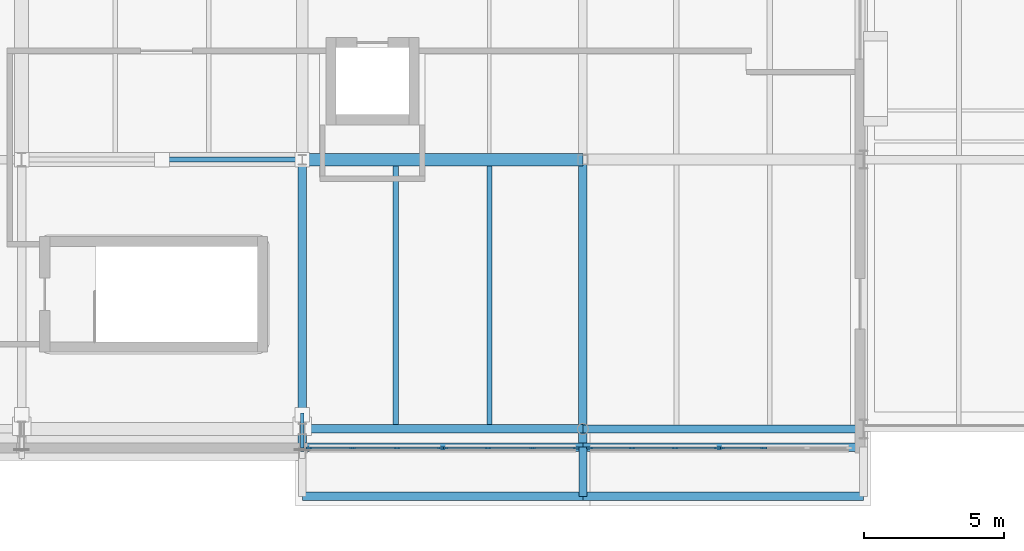
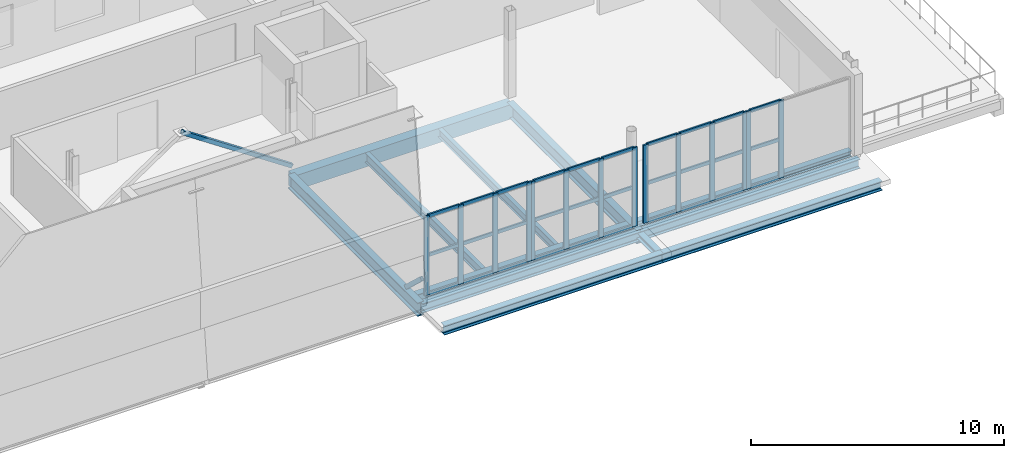
# One storey, part 26 of 57: 46 members, 12 beams, 4 elements without a shape of their own.
"""IFC4 building model written with IfcOpenShell, lengths in metres."""

from ifc_helpers import new_model, si_unit, direction, frame, origin, origin_2d, place, context, subcontext, project, spatial, rectangle, hollow_rectangle, i_section, extrude, material, layer, layer_set, material_profile, profile_set, type_object, element, aggregate, save


model = new_model("IFC4")

# Units and contexts
model_context = context("Model", 3, precision=1e-05, world=origin(), true_north=direction((0.0, 1.0)))
body_context = subcontext(model_context, "Body", "Model", "MODEL_VIEW")
ifc_project = project(units=[si_unit("LENGTHUNIT", "METRE"), si_unit("AREAUNIT", "SQUARE_METRE"), si_unit("VOLUMEUNIT", "CUBIC_METRE"), si_unit("PLANEANGLEUNIT", "RADIAN"), si_unit("MASSUNIT", "GRAM", prefix="KILO")], contexts=[model_context])

# Site, building, storey
site_placement = place(None, origin())
site = spatial("IfcSite", under=ifc_project, at=site_placement, CompositionType="ELEMENT")
building_placement = place(site_placement, origin())
building = spatial("IfcBuilding", under=site, at=building_placement, Name="Zereglee Splitstone Museum", CompositionType="ELEMENT")
storey_placement = place(building_placement, frame((0.0, 0.0, 17.10009765625)))
storey = spatial("IfcBuildingStorey", under=building, at=storey_placement, Name="L03", CompositionType="ELEMENT", Elevation=17.10009765625)

# Beam
ifc_material_1 = material(Name="Concrete C40/50", Category="concrete")
ifc_material_profile_1 = material_profile(ifc_material_1, rectangle(XDim=0.449951171875, YDim=0.699951171875, at=origin_2d()), Name="RC 450x700")
ifc_profile_set_1 = profile_set([ifc_material_profile_1], Name="Concrete C40/50")
beam_type_1 = type_object("IfcBeamType", Name="BG-03", PredefinedType="BEAM", material=ifc_profile_set_1)
beam_1_placement = place(storey_placement, frame((195.199951171875, 9.60009765625, -0.630126953125), z_axis=(1.0, 0.0, 0.0), x_axis=(0.0, 1.0, 0.0)))
element("IfcBeam", 1, at=beam_1_placement, inside=storey, type_object=beam_type_1, Name="Primary Girder L03 B (195.2-205.2)", PredefinedType="BEAM", context=body_context, shape_type="SweptSolid", body=[
    extrude(rectangle(XDim=0.449951171875, YDim=0.699951171875, at=origin_2d()), origin(), (0.0, 0.0, 1.0), 10.0),
])

# Member
ifc_material_2 = material(Name="Steel S355J2H", Category="steel")
ifc_material_profile_2 = material_profile(ifc_material_2, hollow_rectangle(XDim=0.179931640625, YDim=0.179931640625, WallThickness=0.010009765625, at=origin_2d()), Name="SHS 180x180x10")
ifc_profile_set_2 = profile_set([ifc_material_profile_2], Name="Steel S355J2H")
member_type_1 = type_object("IfcMemberType", Name="TB-08", PredefinedType="BRACE", material=ifc_profile_set_2)
member_1_placement = place(storey_placement, frame((195.199951171875, 9.60009765625, 0.119873046875), z_axis=(-0.82999331447, 0.0, 0.557773339211), x_axis=(0.0, -1.0, 0.0)))
element("IfcMember", 2, at=member_1_placement, inside=storey, type_object=member_type_1, Name="Lateral Braced Frame Chevron L03-018B", PredefinedType="BRACE", context=body_context, shape_type="SweptSolid", body=[
    extrude(hollow_rectangle(XDim=0.179931640625, YDim=0.179931640625, WallThickness=0.010009765625, at=origin_2d()), origin(), (0.0, 0.0, 1.0), 6.024169921875),
])

# Curtain wall, members
ifc_material_3 = material(Name="Triple-glazed low-E argon glass and bronze-anodised aluminium", Category="aluminium")
ifc_layer_1 = layer(ifc_material_3, 0.219970703125)
ifc_layer_set_1 = layer_set([ifc_layer_1], Name="Triple-glazed low-E argon glass and bronze-anodised aluminium")
curtain_wall_type_1 = type_object("IfcCurtainWallType", Name="CW-0475-384", PredefinedType="USERDEFINED", material=ifc_layer_set_1)
curtain_wall_1_placement = place(storey_placement, origin())
curtain_wall_1 = element("IfcCurtainWall", 3, at=curtain_wall_1_placement, inside=storey, type_object=curtain_wall_type_1, Name="Glazed Curtain Wall CW-0475-384 (L03)", ObjectType="GLAZED CURTAIN WALL", PredefinedType="USERDEFINED")
ifc_material_4 = material(Name="Thermally broken bronze-anodised aluminium", Category="aluminium")
ifc_material_profile_3 = material_profile(ifc_material_4, rectangle(XDim=0.074951171875, YDim=0.219970703125, at=origin_2d()), Name="CW MULL 75x220")
ifc_profile_set_3 = profile_set([ifc_material_profile_3], Name="Thermally broken bronze-anodised aluminium")
member_type_2 = type_object("IfcMemberType", Name="CWM-02", PredefinedType="MULLION", material=ifc_profile_set_3)
member_2_placement = place(storey_placement, frame((195.445556640625, -0.679931640625, 0.0), z_axis=(0.0, 0.0, 1.0), x_axis=(0.0, 1.0, 0.0)))
member_2 = element("IfcMember", 4, at=member_2_placement, type_object=member_type_2, Name="CW-0475-384 mullion 1", PredefinedType="MULLION", context=body_context, shape_type="SweptSolid", body=[
    extrude(rectangle(XDim=0.074951171875, YDim=0.219970703125, at=origin_2d()), origin(), (0.0, 0.0, 1.0), 3.83984375),
])
member_3_placement = place(storey_placement, frame((196.991455078125, -0.679931640625, 0.0), z_axis=(0.0, 0.0, 1.0), x_axis=(0.0, 1.0, 0.0)))
member_3 = element("IfcMember", 5, at=member_3_placement, type_object=member_type_2, Name="CW-0475-384 mullion 2", PredefinedType="MULLION", context=body_context, shape_type="SweptSolid", body=[
    extrude(rectangle(XDim=0.074951171875, YDim=0.219970703125, at=origin_2d()), origin(), (0.0, 0.0, 1.0), 3.83984375),
])
member_4_placement = place(storey_placement, frame((198.574951171875, -0.679931640625, 0.0), z_axis=(0.0, 0.0, 1.0), x_axis=(0.0, 1.0, 0.0)))
member_4 = element("IfcMember", 6, at=member_4_placement, type_object=member_type_2, Name="CW-0475-384 mullion 3", PredefinedType="MULLION", context=body_context, shape_type="SweptSolid", body=[
    extrude(rectangle(XDim=0.074951171875, YDim=0.219970703125, at=origin_2d()), origin(), (0.0, 0.0, 1.0), 3.83984375),
])
member_5_placement = place(storey_placement, frame((200.120849609375, -0.679931640625, 0.0), z_axis=(0.0, 0.0, 1.0), x_axis=(0.0, 1.0, 0.0)))
member_5 = element("IfcMember", 7, at=member_5_placement, type_object=member_type_2, Name="CW-0475-384 mullion 4", PredefinedType="MULLION", context=body_context, shape_type="SweptSolid", body=[
    extrude(rectangle(XDim=0.074951171875, YDim=0.219970703125, at=origin_2d()), origin(), (0.0, 0.0, 1.0), 3.83984375),
])

ifc_layer_2 = layer(ifc_material_3, 0.219970703125)
ifc_layer_set_2 = layer_set([ifc_layer_2], Name="Triple-glazed low-E argon glass and bronze-anodised aluminium")
curtain_wall_type_2 = type_object("IfcCurtainWallType", Name="CW-0475-382", PredefinedType="USERDEFINED", material=ifc_layer_set_2)
curtain_wall_2_placement = place(storey_placement, origin())
curtain_wall_2 = element("IfcCurtainWall", 8, at=curtain_wall_2_placement, inside=storey, type_object=curtain_wall_type_2, Name="Glazed Curtain Wall CW-0475-382 (L03)", ObjectType="GLAZED CURTAIN WALL", PredefinedType="USERDEFINED")
member_6_placement = place(storey_placement, frame((200.27587890625, -0.679931640625, 0.0), z_axis=(0.0, 0.0, 1.0), x_axis=(0.0, 1.0, 0.0)))
member_6 = element("IfcMember", 9, at=member_6_placement, type_object=member_type_2, Name="CW-0475-382 mullion 1", PredefinedType="MULLION", context=body_context, shape_type="SweptSolid", body=[
    extrude(rectangle(XDim=0.074951171875, YDim=0.219970703125, at=origin_2d()), origin(), (0.0, 0.0, 1.0), 3.81982421875),
])
member_7_placement = place(storey_placement, frame((201.82177734375, -0.679931640625, 0.0), z_axis=(0.0, 0.0, 1.0), x_axis=(0.0, 1.0, 0.0)))
member_7 = element("IfcMember", 10, at=member_7_placement, type_object=member_type_2, Name="CW-0475-382 mullion 2", PredefinedType="MULLION", context=body_context, shape_type="SweptSolid", body=[
    extrude(rectangle(XDim=0.074951171875, YDim=0.219970703125, at=origin_2d()), origin(), (0.0, 0.0, 1.0), 3.81982421875),
])
member_8_placement = place(storey_placement, frame((203.4052734375, -0.679931640625, 0.0), z_axis=(0.0, 0.0, 1.0), x_axis=(0.0, 1.0, 0.0)))
member_8 = element("IfcMember", 11, at=member_8_placement, type_object=member_type_2, Name="CW-0475-382 mullion 3", PredefinedType="MULLION", context=body_context, shape_type="SweptSolid", body=[
    extrude(rectangle(XDim=0.074951171875, YDim=0.219970703125, at=origin_2d()), origin(), (0.0, 0.0, 1.0), 3.81982421875),
])
member_9_placement = place(storey_placement, frame((204.951416015625, -0.679931640625, 0.0), z_axis=(0.0, 0.0, 1.0), x_axis=(0.0, 1.0, 0.0)))
member_9 = element("IfcMember", 12, at=member_9_placement, type_object=member_type_2, Name="CW-0475-382 mullion 4", PredefinedType="MULLION", context=body_context, shape_type="SweptSolid", body=[
    extrude(rectangle(XDim=0.074951171875, YDim=0.219970703125, at=origin_2d()), origin(), (0.0, 0.0, 1.0), 3.81982421875),
])

ifc_layer_3 = layer(ifc_material_3, 0.219970703125)
ifc_layer_set_3 = layer_set([ifc_layer_3], Name="Triple-glazed low-E argon glass and bronze-anodised aluminium")
curtain_wall_type_3 = type_object("IfcCurtainWallType", Name="CW-0462-378", PredefinedType="USERDEFINED", material=ifc_layer_set_3)
curtain_wall_3_placement = place(storey_placement, origin())
curtain_wall_3 = element("IfcCurtainWall", 13, at=curtain_wall_3_placement, inside=storey, type_object=curtain_wall_type_3, Name="Glazed Curtain Wall CW-0462-378 (L03)", ObjectType="GLAZED CURTAIN WALL", PredefinedType="USERDEFINED")
member_10_placement = place(storey_placement, frame((205.44873046875, -0.679931640625, 0.0), z_axis=(0.0, 0.0, 1.0), x_axis=(0.0, 1.0, 0.0)))
member_10 = element("IfcMember", 14, at=member_10_placement, type_object=member_type_2, Name="CW-0462-378 mullion 1", PredefinedType="MULLION", context=body_context, shape_type="SweptSolid", body=[
    extrude(rectangle(XDim=0.074951171875, YDim=0.219970703125, at=origin_2d()), origin(), (0.0, 0.0, 1.0), 3.77978515625),
])
member_11_placement = place(storey_placement, frame((206.94970703125, -0.679931640625, 0.0), z_axis=(0.0, 0.0, 1.0), x_axis=(0.0, 1.0, 0.0)))
member_11 = element("IfcMember", 15, at=member_11_placement, type_object=member_type_2, Name="CW-0462-378 mullion 2", PredefinedType="MULLION", context=body_context, shape_type="SweptSolid", body=[
    extrude(rectangle(XDim=0.074951171875, YDim=0.219970703125, at=origin_2d()), origin(), (0.0, 0.0, 1.0), 3.77978515625),
])
member_12_placement = place(storey_placement, frame((208.488037109375, -0.679931640625, 0.0), z_axis=(0.0, 0.0, 1.0), x_axis=(0.0, 1.0, 0.0)))
member_12 = element("IfcMember", 16, at=member_12_placement, type_object=member_type_2, Name="CW-0462-378 mullion 3", PredefinedType="MULLION", context=body_context, shape_type="SweptSolid", body=[
    extrude(rectangle(XDim=0.074951171875, YDim=0.219970703125, at=origin_2d()), origin(), (0.0, 0.0, 1.0), 3.77978515625),
])
member_13_placement = place(storey_placement, frame((209.989013671875, -0.679931640625, 0.0), z_axis=(0.0, 0.0, 1.0), x_axis=(0.0, 1.0, 0.0)))
member_13 = element("IfcMember", 17, at=member_13_placement, type_object=member_type_2, Name="CW-0462-378 mullion 4", PredefinedType="MULLION", context=body_context, shape_type="SweptSolid", body=[
    extrude(rectangle(XDim=0.074951171875, YDim=0.219970703125, at=origin_2d()), origin(), (0.0, 0.0, 1.0), 3.77978515625),
])

ifc_layer_4 = layer(ifc_material_3, 0.219970703125)
ifc_layer_set_4 = layer_set([ifc_layer_4], Name="Triple-glazed low-E argon glass and bronze-anodised aluminium")
curtain_wall_type_4 = type_object("IfcCurtainWallType", Name="CW-0462-376", PredefinedType="USERDEFINED", material=ifc_layer_set_4)
curtain_wall_4_placement = place(storey_placement, origin())
curtain_wall_4 = element("IfcCurtainWall", 18, at=curtain_wall_4_placement, inside=storey, type_object=curtain_wall_type_4, Name="Glazed Curtain Wall CW-0462-376 (L03)", ObjectType="GLAZED CURTAIN WALL", PredefinedType="USERDEFINED")
member_14_placement = place(storey_placement, frame((210.14404296875, -0.679931640625, 0.0), z_axis=(0.0, 0.0, 1.0), x_axis=(0.0, 1.0, 0.0)))
member_14 = element("IfcMember", 19, at=member_14_placement, type_object=member_type_2, Name="CW-0462-376 mullion 1", PredefinedType="MULLION", context=body_context, shape_type="SweptSolid", body=[
    extrude(rectangle(XDim=0.074951171875, YDim=0.219970703125, at=origin_2d()), origin(), (0.0, 0.0, 1.0), 3.760009765625),
])
member_15_placement = place(storey_placement, frame((211.64501953125, -0.679931640625, 0.0), z_axis=(0.0, 0.0, 1.0), x_axis=(0.0, 1.0, 0.0)))
member_15 = element("IfcMember", 20, at=member_15_placement, type_object=member_type_2, Name="CW-0462-376 mullion 2", PredefinedType="MULLION", context=body_context, shape_type="SweptSolid", body=[
    extrude(rectangle(XDim=0.074951171875, YDim=0.219970703125, at=origin_2d()), origin(), (0.0, 0.0, 1.0), 3.760009765625),
])

# Member
ifc_material_profile_4 = material_profile(ifc_material_4, rectangle(XDim=0.074951171875, YDim=0.1650390625, at=origin_2d()), Name="CW TRAN 75x165")
ifc_profile_set_4 = profile_set([ifc_material_profile_4], Name="Thermally broken bronze-anodised aluminium")
member_type_3 = type_object("IfcMemberType", Name="CWT-02", PredefinedType="USERDEFINED", material=ifc_profile_set_4)
member_16_placement = place(storey_placement, frame((195.48291015625, -0.679931640625, 0.037353515625), z_axis=(1.0, 0.0, 0.0), x_axis=(0.0, 1.0, 0.0)))
member_16 = element("IfcMember", 21, at=member_16_placement, type_object=member_type_3, Name="CW-0475-384 transom 1.1", ObjectType="TRANSOM", PredefinedType="USERDEFINED", context=body_context, shape_type="SweptSolid", body=[
    extrude(rectangle(XDim=0.074951171875, YDim=0.1650390625, at=origin_2d()), origin(), (0.0, 0.0, 1.0), 1.470947265625),
])

member_17_placement = place(storey_placement, frame((195.48291015625, -0.679931640625, 1.919921875), z_axis=(1.0, 0.0, 0.0), x_axis=(0.0, 1.0, 0.0)))
member_17 = element("IfcMember", 22, at=member_17_placement, type_object=member_type_3, Name="CW-0475-384 transom 1.2", ObjectType="TRANSOM", PredefinedType="USERDEFINED", context=body_context, shape_type="SweptSolid", body=[
    extrude(rectangle(XDim=0.074951171875, YDim=0.1650390625, at=origin_2d()), origin(), (0.0, 0.0, 1.0), 1.470947265625),
])

member_18_placement = place(storey_placement, frame((195.48291015625, -0.679931640625, 3.802490234375), z_axis=(1.0, 0.0, 0.0), x_axis=(0.0, 1.0, 0.0)))
member_18 = element("IfcMember", 23, at=member_18_placement, type_object=member_type_3, Name="CW-0475-384 transom 1.3", ObjectType="TRANSOM", PredefinedType="USERDEFINED", context=body_context, shape_type="SweptSolid", body=[
    extrude(rectangle(XDim=0.074951171875, YDim=0.1650390625, at=origin_2d()), origin(), (0.0, 0.0, 1.0), 1.470947265625),
])

member_19_placement = place(storey_placement, frame((197.029052734375, -0.679931640625, 0.037353515625), z_axis=(1.0, 0.0, 0.0), x_axis=(0.0, 1.0, 0.0)))
member_19 = element("IfcMember", 24, at=member_19_placement, type_object=member_type_3, Name="CW-0475-384 transom 2.1", ObjectType="TRANSOM", PredefinedType="USERDEFINED", context=body_context, shape_type="SweptSolid", body=[
    extrude(rectangle(XDim=0.074951171875, YDim=0.1650390625, at=origin_2d()), origin(), (0.0, 0.0, 1.0), 1.50830078125),
])

member_20_placement = place(storey_placement, frame((197.029052734375, -0.679931640625, 1.919921875), z_axis=(1.0, 0.0, 0.0), x_axis=(0.0, 1.0, 0.0)))
member_20 = element("IfcMember", 25, at=member_20_placement, type_object=member_type_3, Name="CW-0475-384 transom 2.2", ObjectType="TRANSOM", PredefinedType="USERDEFINED", context=body_context, shape_type="SweptSolid", body=[
    extrude(rectangle(XDim=0.074951171875, YDim=0.1650390625, at=origin_2d()), origin(), (0.0, 0.0, 1.0), 1.50830078125),
])

member_21_placement = place(storey_placement, frame((197.029052734375, -0.679931640625, 3.802490234375), z_axis=(1.0, 0.0, 0.0), x_axis=(0.0, 1.0, 0.0)))
member_21 = element("IfcMember", 26, at=member_21_placement, type_object=member_type_3, Name="CW-0475-384 transom 2.3", ObjectType="TRANSOM", PredefinedType="USERDEFINED", context=body_context, shape_type="SweptSolid", body=[
    extrude(rectangle(XDim=0.074951171875, YDim=0.1650390625, at=origin_2d()), origin(), (0.0, 0.0, 1.0), 1.50830078125),
])

member_22_placement = place(storey_placement, frame((198.612548828125, -0.679931640625, 0.037353515625), z_axis=(1.0, 0.0, 0.0), x_axis=(0.0, 1.0, 0.0)))
member_22 = element("IfcMember", 27, at=member_22_placement, type_object=member_type_3, Name="CW-0475-384 transom 3.1", ObjectType="TRANSOM", PredefinedType="USERDEFINED", context=body_context, shape_type="SweptSolid", body=[
    extrude(rectangle(XDim=0.074951171875, YDim=0.1650390625, at=origin_2d()), origin(), (0.0, 0.0, 1.0), 1.470947265625),
])

member_23_placement = place(storey_placement, frame((198.612548828125, -0.679931640625, 1.919921875), z_axis=(1.0, 0.0, 0.0), x_axis=(0.0, 1.0, 0.0)))
member_23 = element("IfcMember", 28, at=member_23_placement, type_object=member_type_3, Name="CW-0475-384 transom 3.2", ObjectType="TRANSOM", PredefinedType="USERDEFINED", context=body_context, shape_type="SweptSolid", body=[
    extrude(rectangle(XDim=0.074951171875, YDim=0.1650390625, at=origin_2d()), origin(), (0.0, 0.0, 1.0), 1.470947265625),
])

member_24_placement = place(storey_placement, frame((198.612548828125, -0.679931640625, 3.802490234375), z_axis=(1.0, 0.0, 0.0), x_axis=(0.0, 1.0, 0.0)))
member_24 = element("IfcMember", 29, at=member_24_placement, type_object=member_type_3, Name="CW-0475-384 transom 3.3", ObjectType="TRANSOM", PredefinedType="USERDEFINED", context=body_context, shape_type="SweptSolid", body=[
    extrude(rectangle(XDim=0.074951171875, YDim=0.1650390625, at=origin_2d()), origin(), (0.0, 0.0, 1.0), 1.470947265625),
])

aggregate(curtain_wall_1, [member_2, member_3, member_4, member_5, member_16, member_17, member_18, member_19, member_20, member_21, member_22, member_23, member_24])

member_25_placement = place(storey_placement, frame((200.3134765625, -0.679931640625, 0.037353515625), z_axis=(1.0, 0.0, 0.0), x_axis=(0.0, 1.0, 0.0)))
member_25 = element("IfcMember", 30, at=member_25_placement, type_object=member_type_3, Name="CW-0475-382 transom 1.1", ObjectType="TRANSOM", PredefinedType="USERDEFINED", context=body_context, shape_type="SweptSolid", body=[
    extrude(rectangle(XDim=0.074951171875, YDim=0.1650390625, at=origin_2d()), origin(), (0.0, 0.0, 1.0), 1.470947265625),
])

member_26_placement = place(storey_placement, frame((200.3134765625, -0.679931640625, 1.909912109375), z_axis=(1.0, 0.0, 0.0), x_axis=(0.0, 1.0, 0.0)))
member_26 = element("IfcMember", 31, at=member_26_placement, type_object=member_type_3, Name="CW-0475-382 transom 1.2", ObjectType="TRANSOM", PredefinedType="USERDEFINED", context=body_context, shape_type="SweptSolid", body=[
    extrude(rectangle(XDim=0.074951171875, YDim=0.1650390625, at=origin_2d()), origin(), (0.0, 0.0, 1.0), 1.470947265625),
])

member_27_placement = place(storey_placement, frame((200.3134765625, -0.679931640625, 3.782470703125), z_axis=(1.0, 0.0, 0.0), x_axis=(0.0, 1.0, 0.0)))
member_27 = element("IfcMember", 32, at=member_27_placement, type_object=member_type_3, Name="CW-0475-382 transom 1.3", ObjectType="TRANSOM", PredefinedType="USERDEFINED", context=body_context, shape_type="SweptSolid", body=[
    extrude(rectangle(XDim=0.074951171875, YDim=0.1650390625, at=origin_2d()), origin(), (0.0, 0.0, 1.0), 1.470947265625),
])

member_28_placement = place(storey_placement, frame((201.859375, -0.679931640625, 0.037353515625), z_axis=(1.0, 0.0, 0.0), x_axis=(0.0, 1.0, 0.0)))
member_28 = element("IfcMember", 33, at=member_28_placement, type_object=member_type_3, Name="CW-0475-382 transom 2.1", ObjectType="TRANSOM", PredefinedType="USERDEFINED", context=body_context, shape_type="SweptSolid", body=[
    extrude(rectangle(XDim=0.074951171875, YDim=0.1650390625, at=origin_2d()), origin(), (0.0, 0.0, 1.0), 1.508544921875),
])

member_29_placement = place(storey_placement, frame((201.859375, -0.679931640625, 1.909912109375), z_axis=(1.0, 0.0, 0.0), x_axis=(0.0, 1.0, 0.0)))
member_29 = element("IfcMember", 34, at=member_29_placement, type_object=member_type_3, Name="CW-0475-382 transom 2.2", ObjectType="TRANSOM", PredefinedType="USERDEFINED", context=body_context, shape_type="SweptSolid", body=[
    extrude(rectangle(XDim=0.074951171875, YDim=0.1650390625, at=origin_2d()), origin(), (0.0, 0.0, 1.0), 1.508544921875),
])

member_30_placement = place(storey_placement, frame((201.859375, -0.679931640625, 3.782470703125), z_axis=(1.0, 0.0, 0.0), x_axis=(0.0, 1.0, 0.0)))
member_30 = element("IfcMember", 35, at=member_30_placement, type_object=member_type_3, Name="CW-0475-382 transom 2.3", ObjectType="TRANSOM", PredefinedType="USERDEFINED", context=body_context, shape_type="SweptSolid", body=[
    extrude(rectangle(XDim=0.074951171875, YDim=0.1650390625, at=origin_2d()), origin(), (0.0, 0.0, 1.0), 1.508544921875),
])

member_31_placement = place(storey_placement, frame((203.44287109375, -0.679931640625, 0.037353515625), z_axis=(1.0, 0.0, 0.0), x_axis=(0.0, 1.0, 0.0)))
member_31 = element("IfcMember", 36, at=member_31_placement, type_object=member_type_3, Name="CW-0475-382 transom 3.1", ObjectType="TRANSOM", PredefinedType="USERDEFINED", context=body_context, shape_type="SweptSolid", body=[
    extrude(rectangle(XDim=0.074951171875, YDim=0.1650390625, at=origin_2d()), origin(), (0.0, 0.0, 1.0), 1.470947265625),
])

member_32_placement = place(storey_placement, frame((203.44287109375, -0.679931640625, 1.909912109375), z_axis=(1.0, 0.0, 0.0), x_axis=(0.0, 1.0, 0.0)))
member_32 = element("IfcMember", 37, at=member_32_placement, type_object=member_type_3, Name="CW-0475-382 transom 3.2", ObjectType="TRANSOM", PredefinedType="USERDEFINED", context=body_context, shape_type="SweptSolid", body=[
    extrude(rectangle(XDim=0.074951171875, YDim=0.1650390625, at=origin_2d()), origin(), (0.0, 0.0, 1.0), 1.470947265625),
])

member_33_placement = place(storey_placement, frame((203.44287109375, -0.679931640625, 3.782470703125), z_axis=(1.0, 0.0, 0.0), x_axis=(0.0, 1.0, 0.0)))
member_33 = element("IfcMember", 38, at=member_33_placement, type_object=member_type_3, Name="CW-0475-382 transom 3.3", ObjectType="TRANSOM", PredefinedType="USERDEFINED", context=body_context, shape_type="SweptSolid", body=[
    extrude(rectangle(XDim=0.074951171875, YDim=0.1650390625, at=origin_2d()), origin(), (0.0, 0.0, 1.0), 1.470947265625),
])

aggregate(curtain_wall_2, [member_6, member_7, member_8, member_9, member_25, member_26, member_27, member_28, member_29, member_30, member_31, member_32, member_33])

member_34_placement = place(storey_placement, frame((205.486083984375, -0.679931640625, 0.037353515625), z_axis=(1.0, 0.0, 0.0), x_axis=(0.0, 1.0, 0.0)))
member_34 = element("IfcMember", 39, at=member_34_placement, type_object=member_type_3, Name="CW-0462-378 transom 1.1", ObjectType="TRANSOM", PredefinedType="USERDEFINED", context=body_context, shape_type="SweptSolid", body=[
    extrude(rectangle(XDim=0.074951171875, YDim=0.1650390625, at=origin_2d()), origin(), (0.0, 0.0, 1.0), 1.426025390625),
])

member_35_placement = place(storey_placement, frame((205.486083984375, -0.679931640625, 1.889892578125), z_axis=(1.0, 0.0, 0.0), x_axis=(0.0, 1.0, 0.0)))
member_35 = element("IfcMember", 40, at=member_35_placement, type_object=member_type_3, Name="CW-0462-378 transom 1.2", ObjectType="TRANSOM", PredefinedType="USERDEFINED", context=body_context, shape_type="SweptSolid", body=[
    extrude(rectangle(XDim=0.074951171875, YDim=0.1650390625, at=origin_2d()), origin(), (0.0, 0.0, 1.0), 1.426025390625),
])

member_36_placement = place(storey_placement, frame((205.486083984375, -0.679931640625, 3.742431640625), z_axis=(1.0, 0.0, 0.0), x_axis=(0.0, 1.0, 0.0)))
member_36 = element("IfcMember", 41, at=member_36_placement, type_object=member_type_3, Name="CW-0462-378 transom 1.3", ObjectType="TRANSOM", PredefinedType="USERDEFINED", context=body_context, shape_type="SweptSolid", body=[
    extrude(rectangle(XDim=0.074951171875, YDim=0.1650390625, at=origin_2d()), origin(), (0.0, 0.0, 1.0), 1.426025390625),
])

member_37_placement = place(storey_placement, frame((206.987060546875, -0.679931640625, 0.037353515625), z_axis=(1.0, 0.0, 0.0), x_axis=(0.0, 1.0, 0.0)))
member_37 = element("IfcMember", 42, at=member_37_placement, type_object=member_type_3, Name="CW-0462-378 transom 2.1", ObjectType="TRANSOM", PredefinedType="USERDEFINED", context=body_context, shape_type="SweptSolid", body=[
    extrude(rectangle(XDim=0.074951171875, YDim=0.1650390625, at=origin_2d()), origin(), (0.0, 0.0, 1.0), 1.463623046875),
])

member_38_placement = place(storey_placement, frame((206.987060546875, -0.679931640625, 1.889892578125), z_axis=(1.0, 0.0, 0.0), x_axis=(0.0, 1.0, 0.0)))
member_38 = element("IfcMember", 43, at=member_38_placement, type_object=member_type_3, Name="CW-0462-378 transom 2.2", ObjectType="TRANSOM", PredefinedType="USERDEFINED", context=body_context, shape_type="SweptSolid", body=[
    extrude(rectangle(XDim=0.074951171875, YDim=0.1650390625, at=origin_2d()), origin(), (0.0, 0.0, 1.0), 1.463623046875),
])

member_39_placement = place(storey_placement, frame((206.987060546875, -0.679931640625, 3.742431640625), z_axis=(1.0, 0.0, 0.0), x_axis=(0.0, 1.0, 0.0)))
member_39 = element("IfcMember", 44, at=member_39_placement, type_object=member_type_3, Name="CW-0462-378 transom 2.3", ObjectType="TRANSOM", PredefinedType="USERDEFINED", context=body_context, shape_type="SweptSolid", body=[
    extrude(rectangle(XDim=0.074951171875, YDim=0.1650390625, at=origin_2d()), origin(), (0.0, 0.0, 1.0), 1.463623046875),
])

member_40_placement = place(storey_placement, frame((208.525634765625, -0.679931640625, 0.037353515625), z_axis=(1.0, 0.0, 0.0), x_axis=(0.0, 1.0, 0.0)))
member_40 = element("IfcMember", 45, at=member_40_placement, type_object=member_type_3, Name="CW-0462-378 transom 3.1", ObjectType="TRANSOM", PredefinedType="USERDEFINED", context=body_context, shape_type="SweptSolid", body=[
    extrude(rectangle(XDim=0.074951171875, YDim=0.1650390625, at=origin_2d()), origin(), (0.0, 0.0, 1.0), 1.426025390625),
])

member_41_placement = place(storey_placement, frame((208.525634765625, -0.679931640625, 1.889892578125), z_axis=(1.0, 0.0, 0.0), x_axis=(0.0, 1.0, 0.0)))
member_41 = element("IfcMember", 46, at=member_41_placement, type_object=member_type_3, Name="CW-0462-378 transom 3.2", ObjectType="TRANSOM", PredefinedType="USERDEFINED", context=body_context, shape_type="SweptSolid", body=[
    extrude(rectangle(XDim=0.074951171875, YDim=0.1650390625, at=origin_2d()), origin(), (0.0, 0.0, 1.0), 1.426025390625),
])

member_42_placement = place(storey_placement, frame((208.525634765625, -0.679931640625, 3.742431640625), z_axis=(1.0, 0.0, 0.0), x_axis=(0.0, 1.0, 0.0)))
member_42 = element("IfcMember", 47, at=member_42_placement, type_object=member_type_3, Name="CW-0462-378 transom 3.3", ObjectType="TRANSOM", PredefinedType="USERDEFINED", context=body_context, shape_type="SweptSolid", body=[
    extrude(rectangle(XDim=0.074951171875, YDim=0.1650390625, at=origin_2d()), origin(), (0.0, 0.0, 1.0), 1.426025390625),
])

aggregate(curtain_wall_3, [member_10, member_11, member_12, member_13, member_34, member_35, member_36, member_37, member_38, member_39, member_40, member_41, member_42])

member_43_placement = place(storey_placement, frame((210.181640625, -0.679931640625, 0.037353515625), z_axis=(1.0, 0.0, 0.0), x_axis=(0.0, 1.0, 0.0)))
member_43 = element("IfcMember", 48, at=member_43_placement, type_object=member_type_3, Name="CW-0462-376 transom 1.1", ObjectType="TRANSOM", PredefinedType="USERDEFINED", context=body_context, shape_type="SweptSolid", body=[
    extrude(rectangle(XDim=0.074951171875, YDim=0.1650390625, at=origin_2d()), origin(), (0.0, 0.0, 1.0), 1.426025390625),
])

member_44_placement = place(storey_placement, frame((210.181640625, -0.679931640625, 1.8798828125), z_axis=(1.0, 0.0, 0.0), x_axis=(0.0, 1.0, 0.0)))
member_44 = element("IfcMember", 49, at=member_44_placement, type_object=member_type_3, Name="CW-0462-376 transom 1.2", ObjectType="TRANSOM", PredefinedType="USERDEFINED", context=body_context, shape_type="SweptSolid", body=[
    extrude(rectangle(XDim=0.074951171875, YDim=0.1650390625, at=origin_2d()), origin(), (0.0, 0.0, 1.0), 1.426025390625),
])

member_45_placement = place(storey_placement, frame((210.181640625, -0.679931640625, 3.722412109375), z_axis=(1.0, 0.0, 0.0), x_axis=(0.0, 1.0, 0.0)))
member_45 = element("IfcMember", 50, at=member_45_placement, type_object=member_type_3, Name="CW-0462-376 transom 1.3", ObjectType="TRANSOM", PredefinedType="USERDEFINED", context=body_context, shape_type="SweptSolid", body=[
    extrude(rectangle(XDim=0.074951171875, YDim=0.1650390625, at=origin_2d()), origin(), (0.0, 0.0, 1.0), 1.426025390625),
])

aggregate(curtain_wall_4, [member_14, member_15, member_43, member_44, member_45])

# Beams
ifc_material_5 = material(Name="Steel S355J2", Category="steel")
ifc_material_profile_5 = material_profile(ifc_material_5, i_section(OverallWidth=0.300048828125, OverallDepth=0.64990234375, WebThickness=0.01611328125, FlangeThickness=0.031005859375, FilletRadius=0.027099609375, at=origin_2d()), Name="HE 650 B")
ifc_profile_set_5 = profile_set([ifc_material_profile_5], Name="Steel S355J2")
beam_type_2 = type_object("IfcBeamType", Name="BG-09", PredefinedType="BEAM", material=ifc_profile_set_5)
for number, where, z_axis, x_axis, name in (
    (51, (195.199951171875, -0.64990234375, -0.60498046875), (0.0, 1.0, 0.0), (-1.0, 0.0, 0.0), "Primary Girder L03 22 (-0.7-9.6)"),
    (52, (205.199951171875, -0.64990234375, -0.60498046875), (0.0, 1.0, 0.0), (-1.0, 0.0, 0.0), "Primary Girder L03 23 (-0.7-9.6)"),
):
    element("IfcBeam", number, at=place(storey_placement, frame(where, z_axis=z_axis, x_axis=x_axis)), inside=storey, type_object=beam_type_2, Name=name, PredefinedType="BEAM", context=body_context, shape_type="SweptSolid", body=[
        extrude(i_section(OverallWidth=0.300048828125, OverallDepth=0.64990234375, WebThickness=0.01611328125, FlangeThickness=0.031005859375, FilletRadius=0.027099609375, at=origin_2d()), origin(), (0.0, 0.0, 1.0), 10.25),
    ])
ifc_material_profile_6 = material_profile(ifc_material_5, i_section(OverallWidth=0.179931640625, OverallDepth=0.39990234375, WebThickness=0.008544921875, FlangeThickness=0.013427734375, FilletRadius=0.02099609375, at=origin_2d()), Name="IPE 400")
ifc_profile_set_6 = profile_set([ifc_material_profile_6], Name="Steel S355J2")
beam_type_3 = type_object("IfcBeamType", Name="BJ-03", PredefinedType="JOIST", material=ifc_profile_set_6)
beam_2_placement = place(storey_placement, frame((201.86669921875, 0.14990234375, -0.47998046875), z_axis=(0.0, 1.0, 0.0), x_axis=(-1.0, 0.0, 0.0)))
element("IfcBeam", 53, at=beam_2_placement, inside=storey, type_object=beam_type_3, Name="Secondary Floor Joist L03-1311", PredefinedType="JOIST", context=body_context, shape_type="SweptSolid", body=[
    extrude(i_section(OverallWidth=0.179931640625, OverallDepth=0.39990234375, WebThickness=0.008544921875, FlangeThickness=0.013427734375, FilletRadius=0.02099609375, at=origin_2d()), origin(), (0.0, 0.0, 1.0), 9.22509765625),
])
ifc_material_profile_7 = material_profile(ifc_material_5, i_section(OverallWidth=0.18994140625, OverallDepth=0.449951171875, WebThickness=0.009521484375, FlangeThickness=0.0146484375, FilletRadius=0.02099609375, at=origin_2d()), Name="IPE 450")
ifc_profile_set_7 = profile_set([ifc_material_profile_7], Name="Steel S355J2")
beam_type_4 = type_object("IfcBeamType", Name="BJ-02", PredefinedType="JOIST", material=ifc_profile_set_7)
beam_3_placement = place(storey_placement, frame((198.533203125, 0.14990234375, -0.505126953125), z_axis=(0.0, 1.0, 0.0), x_axis=(-1.0, 0.0, 0.0)))
element("IfcBeam", 54, at=beam_3_placement, inside=storey, type_object=beam_type_4, Name="Secondary Floor Joist L03-1310", PredefinedType="JOIST", context=body_context, shape_type="SweptSolid", body=[
    extrude(i_section(OverallWidth=0.18994140625, OverallDepth=0.449951171875, WebThickness=0.009521484375, FlangeThickness=0.0146484375, FilletRadius=0.02099609375, at=origin_2d()), origin(), (0.0, 0.0, 1.0), 9.22509765625),
])
ifc_material_profile_8 = material_profile(ifc_material_5, i_section(OverallWidth=0.280029296875, OverallDepth=0.280029296875, WebThickness=0.010498046875, FlangeThickness=0.01806640625, FilletRadius=0.02392578125, at=origin_2d()), Name="HE 280 B")
ifc_profile_set_8 = profile_set([ifc_material_profile_8], Name="Steel S355J2")
beam_type_5 = type_object("IfcBeamType", Name="SP-03", PredefinedType="SPANDREL", material=ifc_profile_set_8)
beam_4_placement = place(storey_placement, frame((205.199951171875, 0.0, -0.420166015625), z_axis=(1.0, 0.0, 0.0), x_axis=(0.0, 1.0, 0.0)))
element("IfcBeam", 55, at=beam_4_placement, inside=storey, type_object=beam_type_5, Name="Primary Girder L03 A (205.2-215.2)", PredefinedType="SPANDREL", context=body_context, shape_type="SweptSolid", body=[
    extrude(i_section(OverallWidth=0.280029296875, OverallDepth=0.280029296875, WebThickness=0.010498046875, FlangeThickness=0.01806640625, FilletRadius=0.02392578125, at=origin_2d()), origin(), (0.0, 0.0, 1.0), 10.0),
])
beam_5_placement = place(storey_placement, frame((205.199951171875, -2.39990234375, -0.505126953125), z_axis=(0.0, 1.0, 0.0), x_axis=(-1.0, 0.0, 0.0)))
element("IfcBeam", 56, at=beam_5_placement, inside=storey, type_object=beam_type_5, Name="Pishtaq Return Tie Beam PSQ-SV3-1 (205.2)", PredefinedType="SPANDREL", context=body_context, shape_type="SweptSolid", body=[
    extrude(i_section(OverallWidth=0.280029296875, OverallDepth=0.280029296875, WebThickness=0.010498046875, FlangeThickness=0.01806640625, FilletRadius=0.02392578125, at=origin_2d()), origin(), (0.0, 0.0, 1.0), 1.75),
])
ifc_material_profile_9 = material_profile(ifc_material_5, i_section(OverallWidth=0.300048828125, OverallDepth=0.449951171875, WebThickness=0.013916015625, FlangeThickness=0.02587890625, FilletRadius=0.027099609375, at=origin_2d()), Name="HE 450 B")
ifc_profile_set_9 = profile_set([ifc_material_profile_9], Name="Steel S355J2")
beam_type_6 = type_object("IfcBeamType", Name="SP-02", PredefinedType="SPANDREL", material=ifc_profile_set_9)
for number, where, z_axis, x_axis, name in (
    (57, (195.199951171875, 0.0, -0.505126953125), (1.0, 0.0, 0.0), (0.0, 1.0, 0.0), "Primary Girder L03 A (195.2-205.2)"),
    (58, (195.199951171875, -0.64990234375, -0.505126953125), (1.0, 0.0, 0.0), (0.0, 1.0, 0.0), "Hovering Soffit Spandrel L03 (195.2-205.2)"),
    (59, (205.199951171875, -0.64990234375, -0.505126953125), (1.0, 0.0, 0.0), (0.0, 1.0, 0.0), "Hovering Soffit Spandrel L03 (205.2-215.2)"),
    (60, (195.199951171875, -2.39990234375, -0.505126953125), (1.0, 0.0, 0.0), (0.0, 1.0, 0.0), "Mughal Pishtaq Cornice Header Beam PSQ-SV3-1"),
    (61, (205.199951171875, -2.39990234375, -0.505126953125), (1.0, 0.0, 0.0), (0.0, 1.0, 0.0), "Mughal Pishtaq Cornice Header Beam PSQ-SV3-2"),
):
    element("IfcBeam", number, at=place(storey_placement, frame(where, z_axis=z_axis, x_axis=x_axis)), inside=storey, type_object=beam_type_6, Name=name, PredefinedType="SPANDREL", context=body_context, shape_type="SweptSolid", body=[
        extrude(i_section(OverallWidth=0.300048828125, OverallDepth=0.449951171875, WebThickness=0.013916015625, FlangeThickness=0.02587890625, FilletRadius=0.027099609375, at=origin_2d()), origin(), (0.0, 0.0, 1.0), 10.0),
    ])

# Member
ifc_material_profile_10 = material_profile(ifc_material_2, hollow_rectangle(XDim=0.1201171875, YDim=0.199951171875, WallThickness=0.008056640625, at=origin_2d()), Name="RHS 200x120x8")
ifc_profile_set_10 = profile_set([ifc_material_profile_10], Name="Steel S355J2H")
member_type_4 = type_object("IfcMemberType", Name="FS-T1", PredefinedType="STRUT", material=ifc_profile_set_10)
member_46_placement = place(storey_placement, frame((195.199951171875, 0.5, -0.239990234375), z_axis=(0.0, -0.731231900035, 0.68212895289), x_axis=(1.0, 0.0, 0.0)))
element("IfcMember", 62, at=member_46_placement, inside=storey, type_object=member_type_4, Name="Facet Tie-Back Strut FH-V3S L03-03", PredefinedType="STRUT", context=body_context, shape_type="SweptSolid", body=[
    extrude(hollow_rectangle(XDim=0.1201171875, YDim=0.199951171875, WallThickness=0.008056640625, at=origin_2d()), origin(), (0.0, 0.0, 1.0), 1.700439453125),
])

save(model, "model.ifc")
